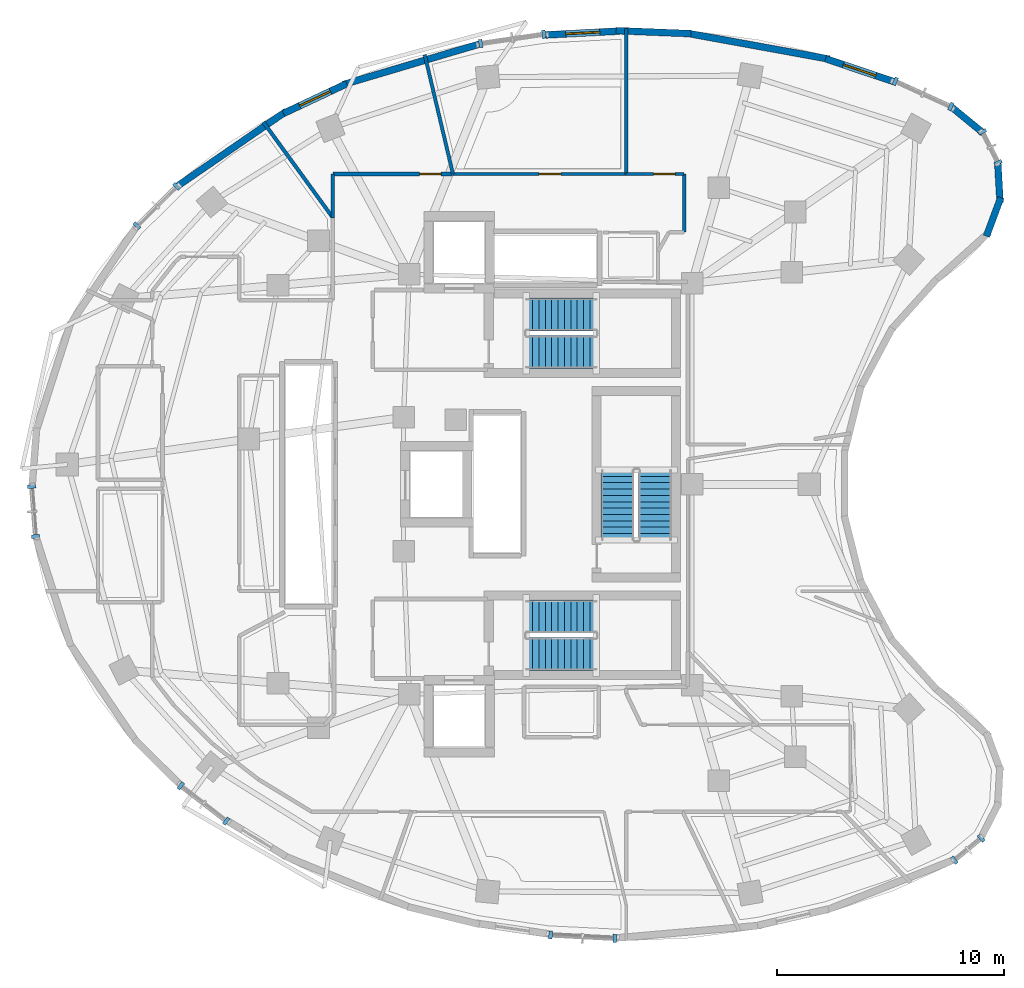
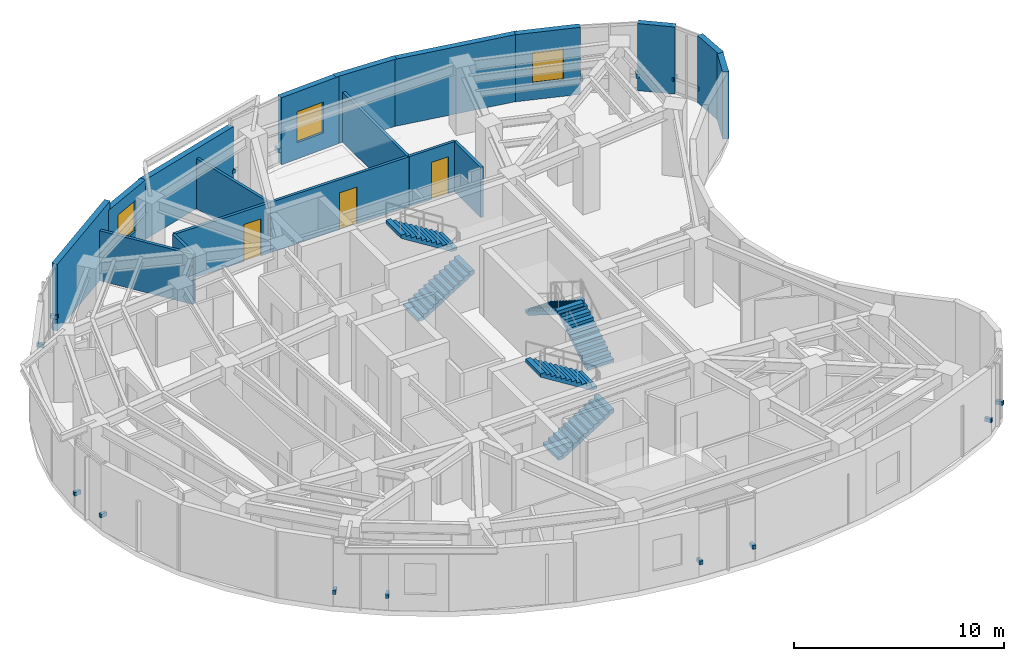
# One storey, part 10 of 13: 18 walls, 16 discrete accessories, 6 stair flights, 3 doors, 3 windows, 6 openings, 3 elements without a shape of their own.
"""IFC4 building model written with IfcOpenShell, lengths in metres."""

from ifc_helpers import new_model, si_unit, direction, frame, frame_2d, origin, origin_2d, place, context, subcontext, project, spatial, polyline, rectangle, outline, extrude, material, layer, layer_set, type_object, element, fill, aggregate, save


model = new_model("IFC4")

# Units and contexts
model_context = context("Model", 3, precision=1e-05, world=origin(), true_north=direction((0.0, 1.0)))
body_context = subcontext(model_context, "Body", "Model", "MODEL_VIEW")
ifc_project = project(units=[si_unit("LENGTHUNIT", "METRE"), si_unit("AREAUNIT", "SQUARE_METRE"), si_unit("VOLUMEUNIT", "CUBIC_METRE"), si_unit("PLANEANGLEUNIT", "RADIAN"), si_unit("MASSUNIT", "GRAM", prefix="KILO")], contexts=[model_context])

# Site, building, storey
site_placement = place(None, origin())
site = spatial("IfcSite", under=ifc_project, at=site_placement, CompositionType="ELEMENT")
building_placement = place(site_placement, origin())
building = spatial("IfcBuilding", under=site, at=building_placement, Name="Korentha Bioscience Tower", CompositionType="ELEMENT")
storey_placement = place(building_placement, frame((0.0, 0.0, 200.39990234375)))
storey = spatial("IfcBuildingStorey", under=building, at=storey_placement, Name="L46", CompositionType="ELEMENT", Elevation=200.39990234375)

# Wall, opening, door
ifc_material_1 = material(Name="Double-Stud Acoustic Gypsum", Category="gypsum")
ifc_layer_1 = layer(ifc_material_1, 0.14990234375, Name="Double-Stud Acoustic Gypsum")
ifc_layer_set_1 = layer_set([ifc_layer_1], Name="Double-Stud Acoustic Gypsum (IW-L150)")
wall_type_1 = type_object("IfcWallType", Name="Acoustic Laboratory Partition Wall 150", PredefinedType="PARTITIONING", material=ifc_layer_set_1)
wall_1_placement = place(storey_placement, frame((37.199951171875, 40.659912109375, 0.0), z_axis=(0.0, 0.0, 1.0), x_axis=(-1.0, 0.0, 0.0)))
wall_1 = element("IfcWall", 1, at=wall_1_placement, inside=storey, type_object=wall_type_1, Name="L46 Peer-Review Conference Room 08 Entrance Wall", PredefinedType="PARTITIONING", context=body_context, shape_type="SweptSolid", body=[
    extrude(rectangle(XDim=2.5478515625, YDim=0.14990234375, at=frame_2d((1.27392578125, 0.0))), origin(), (0.0, 0.0, 1.0), 2.91015625),
])
opening_1_placement = place(wall_1_placement, frame((0.39208984375, 0.0, 0.0)))
opening_1 = element("IfcOpeningElement", 2, at=opening_1_placement, cuts=wall_1, Name="Opening ID-10R", PredefinedType="OPENING", context=body_context, shape_type="SweptSolid", body=[
    extrude(rectangle(XDim=0.949951171875, YDim=2.14990234375, at=frame_2d((0.47509765625, 1.074951171875))), frame((0.0, 0.08984375, 0.0), z_axis=(0.0, -1.0, 0.0), x_axis=(1.0, 0.0, 0.0)), (0.0, 0.0, 1.0), 0.1796875),
])
ifc_material_2 = material(Name="Phenolic Laminate Timber Core", Category="wood")
door_type_1 = type_object("IfcDoorType", Name="Laboratory Single Leaf Door 950x2150 Right", OperationType="SINGLE_SWING_RIGHT", PredefinedType="DOOR", material=ifc_material_2)
door_1_placement = place(opening_1_placement, origin())
door_1 = element("IfcDoor", 3, at=door_1_placement, inside=storey, type_object=door_type_1, Name="L46 Peer-Review Conference Room 08 Door", OperationType="SINGLE_SWING_RIGHT", OverallHeight=2.14990234375, OverallWidth=0.949951171875, PredefinedType="DOOR", context=body_context, shape_type="SweptSolid", body=[
    extrude(rectangle(XDim=0.949951171875, YDim=2.14990234375, at=frame_2d((0.47509765625, 1.074951171875))), frame((0.0, 0.02490234375, 0.0), z_axis=(0.0, -1.0, 0.0), x_axis=(1.0, 0.0, 0.0)), (0.0, 0.0, 1.0), 0.050048828125),
])
fill(opening_1, door_1)

wall_2_placement = place(storey_placement, frame((34.64208984375, 40.659912109375, 0.0), z_axis=(0.0, 0.0, 1.0), x_axis=(-1.0, 0.0, 0.0)))
wall_2 = element("IfcWall", 4, at=wall_2_placement, inside=storey, type_object=wall_type_1, Name="L46 Staff Tea and Espresso Break Lounge 09 Entrance Wall", PredefinedType="PARTITIONING", context=body_context, shape_type="SweptSolid", body=[
    extrude(rectangle(XDim=7.616943359375, YDim=0.14990234375, at=frame_2d((3.80859375, 0.0))), origin(), (0.0, 0.0, 1.0), 2.91015625),
])
opening_2_placement = place(wall_2_placement, frame((2.871826171875, 0.0, 0.0)))
opening_2 = element("IfcOpeningElement", 5, at=opening_2_placement, cuts=wall_2, Name="Opening ID-10L", PredefinedType="OPENING", context=body_context, shape_type="SweptSolid", body=[
    extrude(rectangle(XDim=0.949951171875, YDim=2.14990234375, at=frame_2d((0.47509765625, 1.074951171875))), frame((0.0, 0.08984375, 0.0), z_axis=(0.0, -1.0, 0.0), x_axis=(1.0, 0.0, 0.0)), (0.0, 0.0, 1.0), 0.1796875),
])
door_type_2 = type_object("IfcDoorType", Name="Laboratory Single Leaf Door 950x2150 Left", OperationType="SINGLE_SWING_LEFT", PredefinedType="DOOR", material=ifc_material_2)
door_2_placement = place(opening_2_placement, origin())
door_2 = element("IfcDoor", 6, at=door_2_placement, inside=storey, type_object=door_type_2, Name="L46 Staff Tea and Espresso Break Lounge 09 Door", OperationType="SINGLE_SWING_LEFT", OverallHeight=2.14990234375, OverallWidth=0.949951171875, PredefinedType="DOOR", context=body_context, shape_type="SweptSolid", body=[
    extrude(rectangle(XDim=0.949951171875, YDim=2.14990234375, at=frame_2d((0.47509765625, 1.074951171875))), frame((0.0, 0.02490234375, 0.0), z_axis=(0.0, -1.0, 0.0), x_axis=(1.0, 0.0, 0.0)), (0.0, 0.0, 1.0), 0.050048828125),
])
fill(opening_2, door_2)

# Walls
wall_3_placement = place(storey_placement, frame((37.2099609375, 38.10009765625, 0.0), z_axis=(0.0, 0.0, 1.0), x_axis=(0.0, 1.0, 0.0)))
element("IfcWall", 7, at=wall_3_placement, inside=storey, type_object=wall_type_1, Name="L46 Interior Partition 063", PredefinedType="PARTITIONING", context=body_context, shape_type="SweptSolid", body=[
    extrude(rectangle(XDim=2.5498046875, YDim=0.14990234375, at=frame_2d((1.27490234375, 0.0))), origin(), (0.0, 0.0, 1.0), 2.91015625),
])
wall_4_placement = place(storey_placement, frame((34.652099609375, 40.659912109375, 0.0), z_axis=(0.0, 0.0, 1.0), x_axis=(0.0, 1.0, 0.0)))
element("IfcWall", 8, at=wall_4_placement, inside=storey, type_object=wall_type_1, Name="L46 Interior Partition 064", PredefinedType="PARTITIONING", context=body_context, shape_type="SweptSolid", body=[
    extrude(rectangle(XDim=6.412109375, YDim=0.14990234375, at=frame_2d((3.2060546875, 0.0))), origin(), (0.0, 0.0, 1.0), 2.91015625),
])
wall_5_placement = place(storey_placement, frame((27.025146484375, 40.659912109375, 0.0), z_axis=(0.0, 0.0, 1.0), x_axis=(-0.230673918081, 0.973031111279, 0.0)))
element("IfcWall", 9, at=wall_5_placement, inside=storey, type_object=wall_type_1, Name="L46 Interior Partition 070", PredefinedType="PARTITIONING", context=body_context, shape_type="SweptSolid", body=[
    extrude(rectangle(XDim=5.3935546875, YDim=0.14990234375, at=frame_2d((2.69677734375, 0.0))), origin(), (0.0, 0.0, 1.0), 2.91015625),
])

# Wall, opening, door
ifc_material_3 = material(Name="Gypsum-Clad Steel Stud", Category="steel")
ifc_layer_2 = layer(ifc_material_3, 0.159912109375, Name="Gypsum-Clad Steel Stud")
ifc_layer_set_2 = layer_set([ifc_layer_2], Name="Gypsum-Clad Steel Stud (IW-C160)")
wall_type_2 = type_object("IfcWallType", Name="Fire-Rated Corridor Partition Wall 160", PredefinedType="PARTITIONING", material=ifc_layer_set_2)
wall_6_placement = place(storey_placement, frame((27.014892578125, 40.659912109375, 0.0), z_axis=(0.0, 0.0, 1.0), x_axis=(-1.0, 0.0, 0.0)))
wall_6 = element("IfcWall", 10, at=wall_6_placement, inside=storey, type_object=wall_type_2, Name="L46 Consumables Archive Room 10 Entrance Wall", PredefinedType="PARTITIONING", context=body_context, shape_type="SweptSolid", body=[
    extrude(rectangle(XDim=5.264892578125, YDim=0.159912109375, at=frame_2d((2.63232421875, 0.0))), origin(), (0.0, 0.0, 1.0), 2.91015625),
])
opening_3_placement = place(wall_6_placement, frame((0.510009765625, 0.0, 0.0)))
opening_3 = element("IfcOpeningElement", 11, at=opening_3_placement, cuts=wall_6, Name="Opening ID-10R", PredefinedType="OPENING", context=body_context, shape_type="SweptSolid", body=[
    extrude(rectangle(XDim=0.949951171875, YDim=2.14990234375, at=frame_2d((0.47509765625, 1.074951171875))), frame((0.0, 0.0947265625, 0.0), z_axis=(0.0, -1.0, 0.0), x_axis=(1.0, 0.0, 0.0)), (0.0, 0.0, 1.0), 0.189697265625),
])
door_3_placement = place(opening_3_placement, origin())
door_3 = element("IfcDoor", 12, at=door_3_placement, inside=storey, type_object=door_type_1, Name="L46 Consumables Archive Room 10 Door", OperationType="SINGLE_SWING_RIGHT", OverallHeight=2.14990234375, OverallWidth=0.949951171875, PredefinedType="DOOR", context=body_context, shape_type="SweptSolid", body=[
    extrude(rectangle(XDim=0.949951171875, YDim=2.14990234375, at=frame_2d((0.47509765625, 1.074951171875))), frame((0.0, 0.02490234375, 0.0), z_axis=(0.0, -1.0, 0.0), x_axis=(1.0, 0.0, 0.0)), (0.0, 0.0, 1.0), 0.050048828125),
])
fill(opening_3, door_3)

# Walls
wall_7_placement = place(storey_placement, frame((21.739990234375, 40.64990234375, 0.0), z_axis=(0.0, 0.0, 1.0), x_axis=(0.0, -1.0, 0.0)))
element("IfcWall", 13, at=wall_7_placement, inside=storey, type_object=wall_type_2, Name="L46 Interior Partition 071", PredefinedType="PARTITIONING", context=body_context, shape_type="SweptSolid", body=[
    extrude(rectangle(XDim=1.91796875, YDim=0.159912109375, at=frame_2d((0.958984375, 0.0))), origin(), (0.0, 0.0, 1.0), 2.91015625),
])
wall_8_placement = place(storey_placement, frame((21.739990234375, 38.73193359375, 0.0), z_axis=(0.0, 0.0, 1.0), x_axis=(-0.587778316098, 0.80902203377, 0.0)))
element("IfcWall", 14, at=wall_8_placement, inside=storey, type_object=wall_type_2, Name="L46 Interior Partition 072", PredefinedType="PARTITIONING", context=body_context, shape_type="SweptSolid", body=[
    extrude(rectangle(XDim=5.2041015625, YDim=0.159912109375, at=frame_2d((2.60205078125, 0.0))), origin(), (0.0, 0.0, 1.0), 2.91015625),
])

# Wall, opening, window
ifc_material_4 = material(Name="Honed Limestone Precast Concrete C40", Category="masonry")
ifc_layer_3 = layer(ifc_material_4, 0.300048828125, Name="Honed Limestone Precast Concrete C40")
ifc_layer_set_3 = layer_set([ifc_layer_3], Name="Honed Limestone Precast Concrete C40 (EW-ST300)")
wall_type_3 = type_object("IfcWallType", Name="Honed Limestone Cavity Spandrel Wall 300", PredefinedType="STANDARD", material=ifc_layer_set_3)
wall_9_placement = place(storey_placement, frame((46.41650390625, 44.72705078125, 0.0), z_axis=(0.0, 0.0, 1.0), x_axis=(-0.947594769437, 0.319474807982, 0.0)))
wall_9 = element("IfcWall", 15, at=wall_9_placement, inside=storey, type_object=wall_type_3, Name="L46 Honed Limestone Spandrel Wall 02", PredefinedType="STANDARD", context=body_context, shape_type="SweptSolid", body=[
    extrude(rectangle(XDim=3.156005859375, YDim=0.300048828125, at=frame_2d((1.578125, 0.0))), origin(), (0.0, 0.0, 1.0), 3.900146484375),
])
opening_4_placement = place(wall_9_placement, frame((0.827880859375, 0.0, 0.949951171875)))
opening_4 = element("IfcOpeningElement", 16, at=opening_4_placement, cuts=wall_9, Name="Opening WN-02", PredefinedType="OPENING", context=body_context, shape_type="SweptSolid", body=[
    extrude(rectangle(XDim=1.5, YDim=1.800048828125, at=frame_2d((0.75, 0.89990234375))), frame((0.0, 0.1650390625, 0.0), z_axis=(0.0, -1.0, 0.0), x_axis=(1.0, 0.0, 0.0)), (0.0, 0.0, 1.0), 0.329833984375),
])
ifc_material_5 = material(Name="Thermally Broken Aluminium Triple Glazing", Category="aluminium")
window_type = type_object("IfcWindowType", Name="Acoustic Operable Office Window 1500x1800", PartitioningType="DOUBLE_PANEL_VERTICAL", PredefinedType="WINDOW", material=ifc_material_5)
window_1_placement = place(opening_4_placement, origin())
window_1 = element("IfcWindow", 17, at=window_1_placement, inside=storey, type_object=window_type, Name="L46 Facade Window 02", OverallHeight=1.800048828125, OverallWidth=1.5, PartitioningType="DOUBLE_PANEL_VERTICAL", PredefinedType="WINDOW", context=body_context, shape_type="SweptSolid", body=[
    extrude(rectangle(XDim=1.5, YDim=1.800048828125, at=frame_2d((0.75, 0.89990234375))), frame((0.0, 0.030029296875, 0.0), z_axis=(0.0, -1.0, 0.0), x_axis=(1.0, 0.0, 0.0)), (0.0, 0.0, 1.0), 0.06005859375),
])
fill(opening_4, window_1)

wall_10_placement = place(storey_placement, frame((34.364013671875, 46.949951171875, 0.0), z_axis=(0.0, 0.0, 1.0), x_axis=(-0.998635162507, -0.052228461639, 0.0)))
wall_10 = element("IfcWall", 18, at=wall_10_placement, inside=storey, type_object=wall_type_3, Name="L46 Honed Limestone Spandrel Wall 06", PredefinedType="STANDARD", context=body_context, shape_type="SweptSolid", body=[
    extrude(rectangle(XDim=3.258056640625, YDim=0.300048828125, at=frame_2d((1.62890625, 0.0))), origin(), (0.0, 0.0, 1.0), 3.900146484375),
])
opening_5_placement = place(wall_10_placement, frame((0.87890625, 0.0, 0.949951171875)))
opening_5 = element("IfcOpeningElement", 19, at=opening_5_placement, cuts=wall_10, Name="Opening WN-02", PredefinedType="OPENING", context=body_context, shape_type="SweptSolid", body=[
    extrude(rectangle(XDim=1.5, YDim=1.800048828125, at=frame_2d((0.75, 0.89990234375))), frame((0.0, 0.1650390625, 0.0), z_axis=(0.0, -1.0, 0.0), x_axis=(1.0, 0.0, 0.0)), (0.0, 0.0, 1.0), 0.329833984375),
])
window_2_placement = place(opening_5_placement, origin())
window_2 = element("IfcWindow", 20, at=window_2_placement, inside=storey, type_object=window_type, Name="L46 Facade Window 06", OverallHeight=1.800048828125, OverallWidth=1.5, PartitioningType="DOUBLE_PANEL_VERTICAL", PredefinedType="WINDOW", context=body_context, shape_type="SweptSolid", body=[
    extrude(rectangle(XDim=1.5, YDim=1.800048828125, at=frame_2d((0.75, 0.89990234375))), frame((0.0, 0.030029296875, 0.0), z_axis=(0.0, -1.0, 0.0), x_axis=(1.0, 0.0, 0.0)), (0.0, 0.0, 1.0), 0.06005859375),
])
fill(opening_5, window_2)

wall_11_placement = place(storey_placement, frame((22.34912109375, 44.63427734375, 0.0), z_axis=(0.0, 0.0, 1.0), x_axis=(-0.904928207817, -0.425564259188, 0.0)))
wall_11 = element("IfcWall", 21, at=wall_11_placement, inside=storey, type_object=wall_type_3, Name="L46 Honed Limestone Spandrel Wall 10", PredefinedType="STANDARD", context=body_context, shape_type="SweptSolid", body=[
    extrude(rectangle(XDim=3.081298828125, YDim=0.300048828125, at=frame_2d((1.54052734375, 0.0))), origin(), (0.0, 0.0, 1.0), 3.47021484375),
])
opening_6_placement = place(wall_11_placement, frame((0.790771484375, 0.0, 0.949951171875)))
opening_6 = element("IfcOpeningElement", 22, at=opening_6_placement, cuts=wall_11, Name="Opening WN-02", PredefinedType="OPENING", context=body_context, shape_type="SweptSolid", body=[
    extrude(rectangle(XDim=1.5, YDim=1.800048828125, at=frame_2d((0.75, 0.89990234375))), frame((0.0, 0.1650390625, 0.0), z_axis=(0.0, -1.0, 0.0), x_axis=(1.0, 0.0, 0.0)), (0.0, 0.0, 1.0), 0.329833984375),
])
window_3_placement = place(opening_6_placement, origin())
window_3 = element("IfcWindow", 23, at=window_3_placement, inside=storey, type_object=window_type, Name="L46 Facade Window 10", OverallHeight=1.800048828125, OverallWidth=1.5, PartitioningType="DOUBLE_PANEL_VERTICAL", PredefinedType="WINDOW", context=body_context, shape_type="SweptSolid", body=[
    extrude(rectangle(XDim=1.5, YDim=1.800048828125, at=frame_2d((0.75, 0.89990234375))), frame((0.0, 0.030029296875, 0.0), z_axis=(0.0, -1.0, 0.0), x_axis=(1.0, 0.0, 0.0)), (0.0, 0.0, 1.0), 0.06005859375),
])
fill(opening_6, window_3)

# Walls
wall_12_placement = place(storey_placement, frame((43.58740234375, 45.7158203125, 0.0), z_axis=(0.0, 0.0, 1.0), x_axis=(-0.983789375997, 0.179327810658, 0.0)))
element("IfcWall", 24, at=wall_12_placement, inside=storey, type_object=wall_type_3, Name="L46 Limestone Perimeter Closure Wall 03", PredefinedType="STANDARD", context=body_context, shape_type="SweptSolid", body=[
    extrude(rectangle(XDim=6.36181640625, YDim=0.300048828125, at=frame_2d((3.180908203125, 0.0))), origin(), (0.0, 0.0, 1.0), 3.900146484375),
])
wall_13_placement = place(storey_placement, frame((37.506591796875, 46.8369140625, 0.0), z_axis=(0.0, 0.0, 1.0), x_axis=(-0.999186472466, 0.040328566059, 0.0)))
element("IfcWall", 25, at=wall_13_placement, inside=storey, type_object=wall_type_3, Name="L46 Limestone Perimeter Closure Wall 05", PredefinedType="STANDARD", context=body_context, shape_type="SweptSolid", body=[
    extrude(rectangle(XDim=3.29931640625, YDim=0.300048828125, at=frame_2d((1.649658203125, 0.0))), origin(), (0.0, 0.0, 1.0), 3.900146484375),
])
wall_14_placement = place(storey_placement, frame((28.19287109375, 46.37939453125, 0.0), z_axis=(0.0, 0.0, 1.0), x_axis=(-0.95862409447, -0.28467498222, 0.0)))
element("IfcWall", 26, at=wall_14_placement, inside=storey, type_object=wall_type_3, Name="L46 Limestone Perimeter Closure Wall 08", PredefinedType="STANDARD", context=body_context, shape_type="SweptSolid", body=[
    extrude(rectangle(XDim=6.26220703125, YDim=0.300048828125, at=frame_2d((3.131103515625, 0.0))), origin(), (0.0, 0.0, 1.0), 3.47021484375),
])
wall_15_placement = place(storey_placement, frame((19.692138671875, 43.423095703125, 0.0), z_axis=(0.0, 0.0, 1.0), x_axis=(-0.824151800961, -0.566368968935, 0.0)))
element("IfcWall", 27, at=wall_15_placement, inside=storey, type_object=wall_type_3, Name="L46 Limestone Perimeter Closure Wall 11", PredefinedType="STANDARD", context=body_context, shape_type="SweptSolid", body=[
    extrude(rectangle(XDim=5.833984375, YDim=0.300048828125, at=frame_2d((2.9169921875, 0.0))), origin(), (0.0, 0.0, 1.0), 3.900146484375),
])
wall_16_placement = place(storey_placement, frame((50.506591796875, 37.9169921875, 0.0), z_axis=(0.0, 0.0, 1.0), x_axis=(0.348882068324, 0.937166635344, 0.0)))
element("IfcWall", 28, at=wall_16_placement, inside=storey, type_object=wall_type_3, Name="L46 Limestone Perimeter Closure Wall 59", PredefinedType="STANDARD", context=body_context, shape_type="SweptSolid", body=[
    extrude(rectangle(XDim=1.815185546875, YDim=0.300048828125, at=frame_2d((0.90771484375, 0.0))), origin(), (0.0, 0.0, 1.0), 3.900146484375),
])
wall_17_placement = place(storey_placement, frame((51.108154296875, 39.406494140625, 0.0), z_axis=(0.0, 0.0, 1.0), x_axis=(-0.057436686529, 0.998349150869, 0.0)))
element("IfcWall", 29, at=wall_17_placement, inside=storey, type_object=wall_type_3, Name="L46 Limestone Perimeter Closure Wall 60", PredefinedType="STANDARD", context=body_context, shape_type="SweptSolid", body=[
    extrude(rectangle(XDim=1.81494140625, YDim=0.300048828125, at=frame_2d((0.907470703125, 0.0))), origin(), (0.0, 0.0, 1.0), 3.900146484375),
])
wall_18_placement = place(storey_placement, frame((50.3701171875, 42.462646484375, 0.0), z_axis=(0.0, 0.0, 1.0), x_axis=(-0.774119060294, 0.633040030716, 0.0)))
element("IfcWall", 30, at=wall_18_placement, inside=storey, type_object=wall_type_3, Name="L46 Limestone Perimeter Closure Wall 62", PredefinedType="STANDARD", context=body_context, shape_type="SweptSolid", body=[
    extrude(rectangle(XDim=1.8154296875, YDim=0.300048828125, at=frame_2d((0.90771484375, 0.0))), origin(), (0.0, 0.0, 1.0), 3.900146484375),
])

# Stair, stair flights
ifc_material_6 = material(Name="Precast Concrete C50", Category="concrete")
stair_type = type_object("IfcStairType", Name="Core Exit Dog-Leg Stair 1450", PredefinedType="HALF_TURN_STAIR", material=ifc_material_6)
stair_1_placement = place(storey_placement, origin())
stair_1 = element("IfcStair", 31, at=stair_1_placement, inside=storey, type_object=stair_type, Name="L46 Tower North Pressurized Exit Stair ST-1", PredefinedType="HALF_TURN_STAIR")
stair_flight_type = type_object("IfcStairFlightType", Name="Core Exit Dog-Leg Stair 1450 Flight", PredefinedType="STRAIGHT", material=ifc_material_6)
stair_flight_1_placement = place(storey_placement, frame((30.25, 32.824951171875, 0.0), z_axis=(0.0, 0.0, 1.0), x_axis=(1.0, 0.0, 0.0)))
stair_flight_1 = element("IfcStairFlight", 32, at=stair_flight_1_placement, type_object=stair_flight_type, Name="ST-1 flight 1", NumberOfRisers=12, NumberOfTreads=11, PredefinedType="STRAIGHT", RiserHeight=0.175, TreadLength=0.28, context=body_context, shape_type="SweptSolid", body=[
    extrude(outline(polyline([(0.0, 0.0), (0.0, 0.175048828125), (0.280029296875, 0.175048828125), (0.280029296875, 0.35009765625), (0.56005859375, 0.35009765625), (0.56005859375, 0.52490234375), (0.840087890625, 0.52490234375), (0.840087890625, 0.699951171875), (1.1201171875, 0.699951171875), (1.1201171875, 0.875), (1.39990234375, 0.875), (1.39990234375, 1.050048828125), (1.679931640625, 1.050048828125), (1.679931640625, 1.22509765625), (1.9599609375, 1.22509765625), (1.9599609375, 1.39990234375), (2.239990234375, 1.39990234375), (2.239990234375, 1.574951171875), (2.52001953125, 1.574951171875), (2.52001953125, 1.75), (2.800048828125, 1.75), (2.800048828125, 1.925048828125), (3.080078125, 1.925048828125), (3.080078125, 2.10009765625), (3.080078125, 1.736328125), (0.3017578125, 0.0), (0.0, 0.0)])), frame((0.0, 0.72509765625, 0.0), z_axis=(0.0, -1.0, 0.0), x_axis=(1.0, 0.0, 0.0)), (0.0, 0.0, 1.0), 1.449951171875),
])
stair_flight_2_placement = place(storey_placement, frame((33.330078125, 34.47509765625, 2.10009765625), z_axis=(0.0, 0.0, 1.0), x_axis=(-1.0, 0.0, 0.0)))
stair_flight_2 = element("IfcStairFlight", 33, at=stair_flight_2_placement, type_object=stair_flight_type, Name="ST-1 flight 2", NumberOfRisers=12, NumberOfTreads=11, PredefinedType="STRAIGHT", RiserHeight=0.175, TreadLength=0.28, context=body_context, shape_type="SweptSolid", body=[
    extrude(outline(polyline([(0.0, 0.0), (0.0, 0.175048828125), (0.280029296875, 0.175048828125), (0.280029296875, 0.35009765625), (0.56005859375, 0.35009765625), (0.56005859375, 0.52490234375), (0.840087890625, 0.52490234375), (0.840087890625, 0.699951171875), (1.1201171875, 0.699951171875), (1.1201171875, 0.875), (1.39990234375, 0.875), (1.39990234375, 1.050048828125), (1.679931640625, 1.050048828125), (1.679931640625, 1.22509765625), (1.9599609375, 1.22509765625), (1.9599609375, 1.39990234375), (2.239990234375, 1.39990234375), (2.239990234375, 1.574951171875), (2.52001953125, 1.574951171875), (2.52001953125, 1.75), (2.800048828125, 1.75), (2.800048828125, 1.925048828125), (3.080078125, 1.925048828125), (3.080078125, 2.10009765625), (3.080078125, 1.736328125), (0.3017578125, 0.0), (0.0, 0.0)])), frame((0.0, 0.72509765625, 0.0), z_axis=(0.0, -1.0, 0.0), x_axis=(1.0, 0.0, 0.0)), (0.0, 0.0, 1.0), 1.449951171875),
])
aggregate(stair_1, [stair_flight_1, stair_flight_2])

stair_2_placement = place(storey_placement, origin())
stair_2 = element("IfcStair", 34, at=stair_2_placement, inside=storey, type_object=stair_type, Name="L46 Tower South Pressurized Exit Stair ST-2", PredefinedType="HALF_TURN_STAIR")
stair_flight_3_placement = place(storey_placement, frame((30.25, 19.52490234375, 0.0), z_axis=(0.0, 0.0, 1.0), x_axis=(1.0, 0.0, 0.0)))
stair_flight_3 = element("IfcStairFlight", 35, at=stair_flight_3_placement, type_object=stair_flight_type, Name="ST-2 flight 1", NumberOfRisers=12, NumberOfTreads=11, PredefinedType="STRAIGHT", RiserHeight=0.175, TreadLength=0.28, context=body_context, shape_type="SweptSolid", body=[
    extrude(outline(polyline([(0.0, 0.0), (0.0, 0.175048828125), (0.280029296875, 0.175048828125), (0.280029296875, 0.35009765625), (0.56005859375, 0.35009765625), (0.56005859375, 0.52490234375), (0.840087890625, 0.52490234375), (0.840087890625, 0.699951171875), (1.1201171875, 0.699951171875), (1.1201171875, 0.875), (1.39990234375, 0.875), (1.39990234375, 1.050048828125), (1.679931640625, 1.050048828125), (1.679931640625, 1.22509765625), (1.9599609375, 1.22509765625), (1.9599609375, 1.39990234375), (2.239990234375, 1.39990234375), (2.239990234375, 1.574951171875), (2.52001953125, 1.574951171875), (2.52001953125, 1.75), (2.800048828125, 1.75), (2.800048828125, 1.925048828125), (3.080078125, 1.925048828125), (3.080078125, 2.10009765625), (3.080078125, 1.736328125), (0.3017578125, 0.0), (0.0, 0.0)])), frame((0.0, 0.72509765625, 0.0), z_axis=(0.0, -1.0, 0.0), x_axis=(1.0, 0.0, 0.0)), (0.0, 0.0, 1.0), 1.449951171875),
])
stair_flight_4_placement = place(storey_placement, frame((33.330078125, 21.175048828125, 2.10009765625), z_axis=(0.0, 0.0, 1.0), x_axis=(-1.0, 0.0, 0.0)))
stair_flight_4 = element("IfcStairFlight", 36, at=stair_flight_4_placement, type_object=stair_flight_type, Name="ST-2 flight 2", NumberOfRisers=12, NumberOfTreads=11, PredefinedType="STRAIGHT", RiserHeight=0.175, TreadLength=0.28, context=body_context, shape_type="SweptSolid", body=[
    extrude(outline(polyline([(0.0, 0.0), (0.0, 0.175048828125), (0.280029296875, 0.175048828125), (0.280029296875, 0.35009765625), (0.56005859375, 0.35009765625), (0.56005859375, 0.52490234375), (0.840087890625, 0.52490234375), (0.840087890625, 0.699951171875), (1.1201171875, 0.699951171875), (1.1201171875, 0.875), (1.39990234375, 0.875), (1.39990234375, 1.050048828125), (1.679931640625, 1.050048828125), (1.679931640625, 1.22509765625), (1.9599609375, 1.22509765625), (1.9599609375, 1.39990234375), (2.239990234375, 1.39990234375), (2.239990234375, 1.574951171875), (2.52001953125, 1.574951171875), (2.52001953125, 1.75), (2.800048828125, 1.75), (2.800048828125, 1.925048828125), (3.080078125, 1.925048828125), (3.080078125, 2.10009765625), (3.080078125, 1.736328125), (0.3017578125, 0.0), (0.0, 0.0)])), frame((0.0, 0.72509765625, 0.0), z_axis=(0.0, -1.0, 0.0), x_axis=(1.0, 0.0, 0.0)), (0.0, 0.0, 1.0), 1.449951171875),
])
aggregate(stair_2, [stair_flight_3, stair_flight_4])

stair_3_placement = place(storey_placement, origin())
stair_3 = element("IfcStair", 37, at=stair_3_placement, inside=storey, type_object=stair_type, Name="L46 Tower Central Pressurized Exit Stair ST-3", PredefinedType="HALF_TURN_STAIR")
stair_flight_5_placement = place(storey_placement, frame((35.925048828125, 24.550048828125, 0.0), z_axis=(0.0, 0.0, 1.0), x_axis=(0.0, 1.0, 0.0)))
stair_flight_5 = element("IfcStairFlight", 38, at=stair_flight_5_placement, type_object=stair_flight_type, Name="ST-3 flight 1", NumberOfRisers=12, NumberOfTreads=11, PredefinedType="STRAIGHT", RiserHeight=0.175, TreadLength=0.28, context=body_context, shape_type="SweptSolid", body=[
    extrude(outline(polyline([(0.0, 0.0), (0.0, 0.175048828125), (0.280029296875, 0.175048828125), (0.280029296875, 0.35009765625), (0.56005859375, 0.35009765625), (0.56005859375, 0.52490234375), (0.840087890625, 0.52490234375), (0.840087890625, 0.699951171875), (1.1201171875, 0.699951171875), (1.1201171875, 0.875), (1.39990234375, 0.875), (1.39990234375, 1.050048828125), (1.679931640625, 1.050048828125), (1.679931640625, 1.22509765625), (1.9599609375, 1.22509765625), (1.9599609375, 1.39990234375), (2.239990234375, 1.39990234375), (2.239990234375, 1.574951171875), (2.52001953125, 1.574951171875), (2.52001953125, 1.75), (2.800048828125, 1.75), (2.800048828125, 1.925048828125), (3.080078125, 1.925048828125), (3.080078125, 2.10009765625), (3.080078125, 1.736328125), (0.3017578125, 0.0), (0.0, 0.0)])), frame((0.0, 0.72509765625, 0.0), z_axis=(0.0, -1.0, 0.0), x_axis=(1.0, 0.0, 0.0)), (0.0, 0.0, 1.0), 1.449951171875),
])
stair_flight_6_placement = place(storey_placement, frame((34.27490234375, 27.6298828125, 2.10009765625), z_axis=(0.0, 0.0, 1.0), x_axis=(0.0, -1.0, 0.0)))
stair_flight_6 = element("IfcStairFlight", 39, at=stair_flight_6_placement, type_object=stair_flight_type, Name="ST-3 flight 2", NumberOfRisers=12, NumberOfTreads=11, PredefinedType="STRAIGHT", RiserHeight=0.175, TreadLength=0.28, context=body_context, shape_type="SweptSolid", body=[
    extrude(outline(polyline([(0.0, 0.0), (0.0, 0.175048828125), (0.280029296875, 0.175048828125), (0.280029296875, 0.35009765625), (0.56005859375, 0.35009765625), (0.56005859375, 0.52490234375), (0.840087890625, 0.52490234375), (0.840087890625, 0.699951171875), (1.1201171875, 0.699951171875), (1.1201171875, 0.875), (1.39990234375, 0.875), (1.39990234375, 1.050048828125), (1.679931640625, 1.050048828125), (1.679931640625, 1.22509765625), (1.9599609375, 1.22509765625), (1.9599609375, 1.39990234375), (2.239990234375, 1.39990234375), (2.239990234375, 1.574951171875), (2.52001953125, 1.574951171875), (2.52001953125, 1.75), (2.800048828125, 1.75), (2.800048828125, 1.925048828125), (3.080078125, 1.925048828125), (3.080078125, 2.10009765625), (3.080078125, 1.736328125), (0.3017578125, 0.0), (0.0, 0.0)])), frame((0.0, 0.72509765625, 0.0), z_axis=(0.0, -1.0, 0.0), x_axis=(1.0, 0.0, 0.0)), (0.0, 0.0, 1.0), 1.449951171875),
])
aggregate(stair_3, [stair_flight_5, stair_flight_6])

# Discrete accessories
ifc_material_7 = material(Name="Stainless Steel 316", Category="steel")
discrete_accessory_type = type_object("IfcDiscreteAccessoryType", Name="Stainless Steel Solar-Screen Outrigger Bracket", PredefinedType="BRACKET", material=ifc_material_7)
for number, where, z_axis, x_axis, name in (
    (40, (48.939697265625, 43.628662109375, 0.740234375), (0.0, 0.0, 1.0), (-0.910520215031, 0.413464554733, 0.0), "CW-L46-01 Solar-Screen Support Bracket 1"),
    (41, (46.495361328125, 44.738525390625, 0.740234375), (0.0, 0.0, 1.0), (-0.910520215031, 0.413464554733, 0.0), "CW-L46-01 Solar-Screen Support Bracket 2"),
    (42, (31.027587890625, 46.81201171875, 0.740234375), (0.0, 0.0, 1.0), (-0.989449480287, -0.144878314317, 0.0), "CW-L46-07 Solar-Screen Support Bracket 1"),
    (43, (28.242431640625, 46.404052734375, 0.740234375), (0.0, 0.0, 1.0), (-0.989449480287, -0.144878314317, 0.0), "CW-L46-07 Solar-Screen Support Bracket 2"),
    (44, (14.857421875, 40.11181640625, 0.740234375), (0.0, 0.0, 1.0), (-0.711177694756, -0.703012294688, 0.0), "CW-L46-13 Solar-Screen Support Bracket 1"),
    (45, (13.10986328125, 38.38427734375, 0.740234375), (0.0, 0.0, 1.0), (-0.711177694756, -0.703012294688, 0.0), "CW-L46-13 Solar-Screen Support Bracket 2"),
    (46, (8.47705078125, 26.89892578125, 0.740234375), (0.0, 0.0, 1.0), (0.077987717013, -0.996954319914, 0.0), "CW-L46-19 Solar-Screen Support Bracket 1"),
    (47, (8.648681640625, 24.70654296875, 0.740234375), (0.0, 0.0, 1.0), (0.077987717013, -0.996954319914, 0.0), "CW-L46-19 Solar-Screen Support Bracket 2"),
    (48, (15.04296875, 13.72607421875, 0.740234375), (0.0, 0.0, 1.0), (0.790346099854, -0.612660625833, 0.0), "CW-L46-25 Solar-Screen Support Bracket 1"),
    (49, (17.04541015625, 12.173583984375, 0.740234375), (0.0, 0.0, 1.0), (0.790346099854, -0.612660625833, 0.0), "CW-L46-25 Solar-Screen Support Bracket 2"),
    (50, (31.320556640625, 7.1591796875, 0.740234375), (0.0, 0.0, 1.0), (0.998634603964, -0.052239140168, 0.0), "CW-L46-31 Solar-Screen Support Bracket 1"),
    (51, (34.1484375, 7.01123046875, 0.740234375), (0.0, 0.0, 1.0), (0.998634603964, -0.052239140168, 0.0), "CW-L46-31 Solar-Screen Support Bracket 2"),
    (52, (49.095458984375, 10.4560546875, 0.740234375), (0.0, 0.0, 1.0), (0.774088224596, 0.633077736571, 0.0), "CW-L46-37 Solar-Screen Support Bracket 1"),
    (53, (50.277587890625, 11.4228515625, 0.740234375), (0.0, 0.0, 1.0), (0.774088224596, 0.633077736571, 0.0), "CW-L46-37 Solar-Screen Support Bracket 2"),
    (54, (51.021240234375, 41.154052734375, 0.740234375), (0.0, 0.0, 1.0), (-0.454115695623, 0.89094272262, 0.0), "CW-L46-61 Solar-Screen Support Bracket 1"),
    (55, (50.327880859375, 42.514404296875, 0.740234375), (0.0, 0.0, 1.0), (-0.454115695623, 0.89094272262, 0.0), "CW-L46-61 Solar-Screen Support Bracket 2"),
):
    element("IfcDiscreteAccessory", number, at=place(storey_placement, frame(where, z_axis=z_axis, x_axis=x_axis)), inside=storey, type_object=discrete_accessory_type, Name=name, PredefinedType="BRACKET", context=body_context, shape_type="SweptSolid", body=[
        extrude(rectangle(XDim=0.159912109375, YDim=0.360107421875, at=origin_2d()), origin(), (0.0, 0.0, 1.0), 0.219970703125),
    ])

save(model, "model.ifc")
